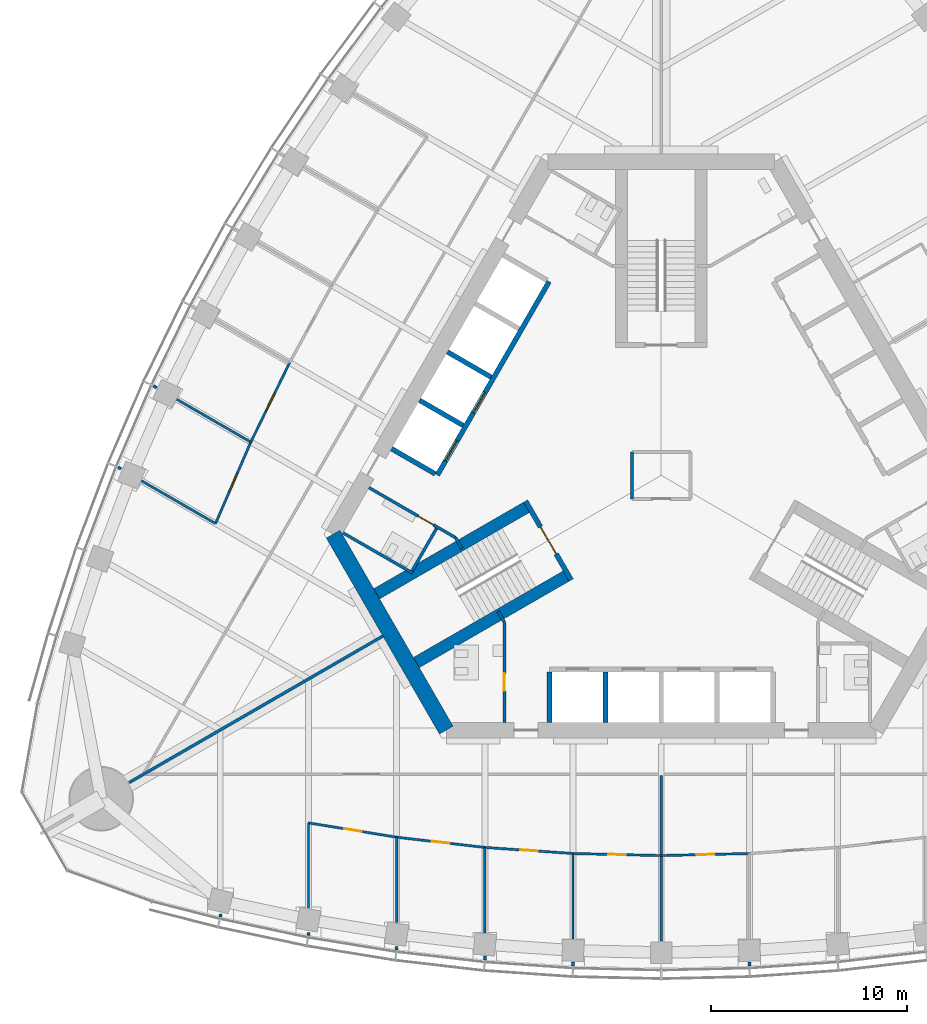
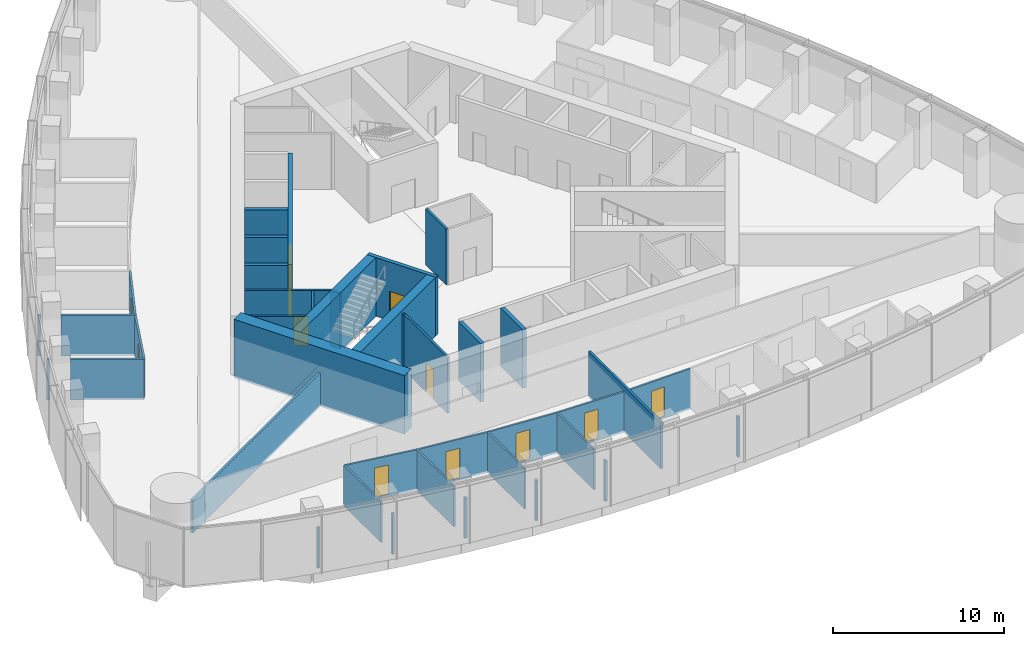
# One storey, part 11 of 20: 40 walls, 12 doors, 12 openings.
"""IFC4 building model written with IfcOpenShell, lengths in metres."""

from ifc_helpers import new_model, si_unit, direction, frame, frame_2d, origin, place, context, subcontext, project, spatial, rectangle, extrude, material, layer, layer_set, type_object, element, fill, save


model = new_model("IFC4")

# Units and contexts
model_context = context("Model", 3, precision=1e-05, world=origin(), true_north=direction((0.0, 1.0)))
body_context = subcontext(model_context, "Body", "Model", "MODEL_VIEW")
ifc_project = project(units=[si_unit("LENGTHUNIT", "METRE"), si_unit("AREAUNIT", "SQUARE_METRE"), si_unit("VOLUMEUNIT", "CUBIC_METRE"), si_unit("PLANEANGLEUNIT", "RADIAN"), si_unit("MASSUNIT", "GRAM", prefix="KILO")], contexts=[model_context])

# Site, building, storey
site_placement = place(None, origin())
site = spatial("IfcSite", under=ifc_project, at=site_placement, CompositionType="ELEMENT")
building_placement = place(site_placement, origin())
building = spatial("IfcBuilding", under=site, at=building_placement, Name="Trefoil Bronze Tower", CompositionType="ELEMENT")
storey_placement = place(building_placement, frame((0.0, 0.0, 214.89990234375)))
storey = spatial("IfcBuildingStorey", under=building, at=storey_placement, Name="L49", CompositionType="ELEMENT", Elevation=214.89990234375)

# Wall
ifc_material_1 = material(Name="Concrete B80", Category="concrete")
ifc_layer_1 = layer(ifc_material_1, 0.800048828125)
ifc_layer_set_1 = layer_set([ifc_layer_1], Name="Core wall 800")
wall_type_1 = type_object("IfcWallType", Name="Core wall 800", PredefinedType="SHEAR", material=ifc_layer_set_1)
wall_1_placement = place(storey_placement, frame((-16.7431640625, -3.0, 0.0), z_axis=(0.0, 0.0, 1.0), x_axis=(0.499995765644, -0.866027848477, 0.0)))
element("IfcWall", 1, at=wall_1_placement, inside=storey, type_object=wall_type_1, Name="Core short wall 3 L49", PredefinedType="SHEAR", context=body_context, shape_type="SweptSolid", body=[
    extrude(rectangle(XDim=11.546875, YDim=0.800048828125, at=frame_2d((5.7734375, 0.0))), origin(), (0.0, 0.0, 1.0), 4.2001953125),
])

# Wall, opening, door
ifc_material_2 = material(Name="Glazed partition", Category="glass")
ifc_layer_2 = layer(ifc_material_2, 0.1201171875)
ifc_layer_set_2 = layer_set([ifc_layer_2], Name="Glazed partition 120")
wall_type_2 = type_object("IfcWallType", Name="Glazed partition 120", PredefinedType="PARTITIONING", material=ifc_layer_set_2)
wall_2_placement = place(storey_placement, frame((0.0, -19.400634765625, 0.0), z_axis=(0.0, 0.0, 1.0), x_axis=(0.99973552509, 0.022997388381, 0.0)))
wall_2 = element("IfcWall", 2, at=wall_2_placement, inside=storey, type_object=wall_type_2, Name="Partition F1 L49", PredefinedType="PARTITIONING", context=body_context, shape_type="SweptSolid", body=[
    extrude(rectangle(XDim=4.501220703125, YDim=0.1201171875, at=frame_2d((2.25048828125, 0.0))), origin(), (0.0, 0.0, 1.0), 2.900146484375),
])
opening_1_placement = place(wall_2_placement, frame((1.800048828125, 0.0, 0.14990234375)))
opening_1 = element("IfcOpeningElement", 3, at=opening_1_placement, cuts=wall_2, Name="Opening D8", PredefinedType="OPENING", context=body_context, shape_type="SweptSolid", body=[
    extrude(rectangle(XDim=0.89990234375, YDim=2.10009765625, at=frame_2d((0.449951171875, 1.050048828125))), frame((0.0, 0.070068359375, 0.0), z_axis=(0.0, -1.0, 0.0), x_axis=(1.0, 0.0, 0.0)), (0.0, 0.0, 1.0), 0.14013671875),
])
ifc_material_3 = material(Name="Timber door", Category="wood")
door_type_1 = type_object("IfcDoorType", Name="Office door 900", OperationType="SINGLE_SWING_LEFT", PredefinedType="DOOR", material=ifc_material_3)
door_1_placement = place(opening_1_placement, frame((0.89990234375, 0.0, 0.0), z_axis=(0.0, 0.0, 1.0), x_axis=(-1.0, 0.0, 0.0)))
door_1 = element("IfcDoor", 4, at=door_1_placement, inside=storey, type_object=door_type_1, Name="Office door F1 L49", OperationType="SINGLE_SWING_RIGHT", OverallHeight=2.10009765625, OverallWidth=0.89990234375, PredefinedType="DOOR", context=body_context, shape_type="SweptSolid", body=[
    extrude(rectangle(XDim=0.89990234375, YDim=2.10009765625, at=frame_2d((0.449951171875, 1.050048828125))), frame((0.0, 0.02490234375, 0.0), z_axis=(0.0, -1.0, 0.0), x_axis=(1.0, 0.0, 0.0)), (0.0, 0.0, 1.0), 0.050048828125),
])
fill(opening_1, door_1)

wall_3_placement = place(storey_placement, frame((-13.5, -18.466064453125, 0.0), z_axis=(0.0, 0.0, 1.0), x_axis=(0.993382946625, -0.114849124309, 0.0)))
wall_3 = element("IfcWall", 5, at=wall_3_placement, inside=storey, type_object=wall_type_2, Name="Partition F1 L49", PredefinedType="PARTITIONING", context=body_context, shape_type="SweptSolid", body=[
    extrude(rectangle(XDim=4.530029296875, YDim=0.1201171875, at=frame_2d((2.26513671875, 0.0))), origin(), (0.0, 0.0, 1.0), 2.900146484375),
])
opening_2_placement = place(wall_3_placement, frame((1.800048828125, 0.0, 0.14990234375)))
opening_2 = element("IfcOpeningElement", 6, at=opening_2_placement, cuts=wall_3, Name="Opening D8", PredefinedType="OPENING", context=body_context, shape_type="SweptSolid", body=[
    extrude(rectangle(XDim=0.89990234375, YDim=2.10009765625, at=frame_2d((0.449951171875, 1.050048828125))), frame((0.0, 0.070068359375, 0.0), z_axis=(0.0, -1.0, 0.0), x_axis=(1.0, 0.0, 0.0)), (0.0, 0.0, 1.0), 0.14013671875),
])
door_2_placement = place(opening_2_placement, frame((0.89990234375, 0.0, 0.0), z_axis=(0.0, 0.0, 1.0), x_axis=(-1.0, 0.0, 0.0)))
door_2 = element("IfcDoor", 7, at=door_2_placement, inside=storey, type_object=door_type_1, Name="Office door F1 L49", OperationType="SINGLE_SWING_RIGHT", OverallHeight=2.10009765625, OverallWidth=0.89990234375, PredefinedType="DOOR", context=body_context, shape_type="SweptSolid", body=[
    extrude(rectangle(XDim=0.89990234375, YDim=2.10009765625, at=frame_2d((0.449951171875, 1.050048828125))), frame((0.0, 0.02490234375, 0.0), z_axis=(0.0, -1.0, 0.0), x_axis=(1.0, 0.0, 0.0)), (0.0, 0.0, 1.0), 0.050048828125),
])
fill(opening_2, door_2)

wall_4_placement = place(storey_placement, frame((-18.0, -17.73291015625, 0.0), z_axis=(0.0, 0.0, 1.0), x_axis=(0.986986525477, -0.160802980469, 0.0)))
wall_4 = element("IfcWall", 8, at=wall_4_placement, inside=storey, type_object=wall_type_2, Name="Partition F1 L49", PredefinedType="PARTITIONING", context=body_context, shape_type="SweptSolid", body=[
    extrude(rectangle(XDim=4.559326171875, YDim=0.1201171875, at=frame_2d((2.27978515625, 0.0))), origin(), (0.0, 0.0, 1.0), 2.900146484375),
])
opening_3_placement = place(wall_4_placement, frame((1.85009765625, 0.0, 0.14990234375)))
opening_3 = element("IfcOpeningElement", 9, at=opening_3_placement, cuts=wall_4, Name="Opening D8", PredefinedType="OPENING", context=body_context, shape_type="SweptSolid", body=[
    extrude(rectangle(XDim=0.89990234375, YDim=2.10009765625, at=frame_2d((0.449951171875, 1.050048828125))), frame((0.0, 0.070068359375, 0.0), z_axis=(0.0, -1.0, 0.0), x_axis=(1.0, 0.0, 0.0)), (0.0, 0.0, 1.0), 0.14013671875),
])
door_3_placement = place(opening_3_placement, frame((0.89990234375, 0.0, 0.0), z_axis=(0.0, 0.0, 1.0), x_axis=(-1.0, 0.0, 0.0)))
door_3 = element("IfcDoor", 10, at=door_3_placement, inside=storey, type_object=door_type_1, Name="Office door F1 L49", OperationType="SINGLE_SWING_LEFT", OverallHeight=2.10009765625, OverallWidth=0.89990234375, PredefinedType="DOOR", context=body_context, shape_type="SweptSolid", body=[
    extrude(rectangle(XDim=0.89990234375, YDim=2.10009765625, at=frame_2d((0.449951171875, 1.050048828125))), frame((0.0, 0.02490234375, 0.0), z_axis=(0.0, -1.0, 0.0), x_axis=(1.0, 0.0, 0.0)), (0.0, 0.0, 1.0), 0.050048828125),
])
fill(opening_3, door_3)

wall_5_placement = place(storey_placement, frame((-4.5, -19.297119140625, 0.0), z_axis=(0.0, 0.0, 1.0), x_axis=(0.99973552509, -0.022997388381, 0.0)))
wall_5 = element("IfcWall", 11, at=wall_5_placement, inside=storey, type_object=wall_type_2, Name="Partition F1 L49", PredefinedType="PARTITIONING", context=body_context, shape_type="SweptSolid", body=[
    extrude(rectangle(XDim=4.501220703125, YDim=0.1201171875, at=frame_2d((2.25048828125, 0.0))), origin(), (0.0, 0.0, 1.0), 2.900146484375),
])
opening_4_placement = place(wall_5_placement, frame((1.800048828125, 0.0, 0.14990234375)))
opening_4 = element("IfcOpeningElement", 12, at=opening_4_placement, cuts=wall_5, Name="Opening D8", PredefinedType="OPENING", context=body_context, shape_type="SweptSolid", body=[
    extrude(rectangle(XDim=0.89990234375, YDim=2.10009765625, at=frame_2d((0.449951171875, 1.050048828125))), frame((0.0, 0.070068359375, 0.0), z_axis=(0.0, -1.0, 0.0), x_axis=(1.0, 0.0, 0.0)), (0.0, 0.0, 1.0), 0.14013671875),
])
door_4_placement = place(opening_4_placement, frame((0.89990234375, 0.0, 0.0), z_axis=(0.0, 0.0, 1.0), x_axis=(-1.0, 0.0, 0.0)))
door_4 = element("IfcDoor", 13, at=door_4_placement, inside=storey, type_object=door_type_1, Name="Office door F1 L49", OperationType="SINGLE_SWING_RIGHT", OverallHeight=2.10009765625, OverallWidth=0.89990234375, PredefinedType="DOOR", context=body_context, shape_type="SweptSolid", body=[
    extrude(rectangle(XDim=0.89990234375, YDim=2.10009765625, at=frame_2d((0.449951171875, 1.050048828125))), frame((0.0, 0.02490234375, 0.0), z_axis=(0.0, -1.0, 0.0), x_axis=(1.0, 0.0, 0.0)), (0.0, 0.0, 1.0), 0.050048828125),
])
fill(opening_4, door_4)

wall_6_placement = place(storey_placement, frame((-9.0, -18.986328125, 0.0), z_axis=(0.0, 0.0, 1.0), x_axis=(0.997623533978, -0.068900540297, 0.0)))
wall_6 = element("IfcWall", 14, at=wall_6_placement, inside=storey, type_object=wall_type_2, Name="Partition F1 L49", PredefinedType="PARTITIONING", context=body_context, shape_type="SweptSolid", body=[
    extrude(rectangle(XDim=4.5107421875, YDim=0.1201171875, at=frame_2d((2.25537109375, 0.0))), origin(), (0.0, 0.0, 1.0), 2.900146484375),
])
opening_5_placement = place(wall_6_placement, frame((1.800048828125, 0.0, 0.14990234375)))
opening_5 = element("IfcOpeningElement", 15, at=opening_5_placement, cuts=wall_6, Name="Opening D8", PredefinedType="OPENING", context=body_context, shape_type="SweptSolid", body=[
    extrude(rectangle(XDim=0.89990234375, YDim=2.10009765625, at=frame_2d((0.449951171875, 1.050048828125))), frame((0.0, 0.070068359375, 0.0), z_axis=(0.0, -1.0, 0.0), x_axis=(1.0, 0.0, 0.0)), (0.0, 0.0, 1.0), 0.14013671875),
])
door_5_placement = place(opening_5_placement, frame((0.89990234375, 0.0, 0.0), z_axis=(0.0, 0.0, 1.0), x_axis=(-1.0, 0.0, 0.0)))
door_5 = element("IfcDoor", 16, at=door_5_placement, inside=storey, type_object=door_type_1, Name="Office door F1 L49", OperationType="SINGLE_SWING_RIGHT", OverallHeight=2.10009765625, OverallWidth=0.89990234375, PredefinedType="DOOR", context=body_context, shape_type="SweptSolid", body=[
    extrude(rectangle(XDim=0.89990234375, YDim=2.10009765625, at=frame_2d((0.449951171875, 1.050048828125))), frame((0.0, 0.02490234375, 0.0), z_axis=(0.0, -1.0, 0.0), x_axis=(1.0, 0.0, 0.0)), (0.0, 0.0, 1.0), 0.050048828125),
])
fill(opening_5, door_5)

# Walls
wall_7_placement = place(storey_placement, frame((-13.5, -18.466064453125, 0.0), z_axis=(0.0, 0.0, 1.0), x_axis=(0.0, -1.0, 0.0)))
element("IfcWall", 17, at=wall_7_placement, inside=storey, type_object=wall_type_2, Name="Partition F1 L49", PredefinedType="PARTITIONING", context=body_context, shape_type="SweptSolid", body=[
    extrude(rectangle(XDim=4.356689453125, YDim=0.1201171875, at=frame_2d((2.17822265625, 0.0))), origin(), (0.0, 0.0, 1.0), 2.900146484375),
])
wall_8_placement = place(storey_placement, frame((-18.0, -17.73291015625, 0.0), z_axis=(0.0, 0.0, 1.0), x_axis=(0.0, -1.0, 0.0)))
element("IfcWall", 18, at=wall_8_placement, inside=storey, type_object=wall_type_2, Name="Partition F1 L49", PredefinedType="PARTITIONING", context=body_context, shape_type="SweptSolid", body=[
    extrude(rectangle(XDim=4.34619140625, YDim=0.1201171875, at=frame_2d((2.173095703125, 0.0))), origin(), (0.0, 0.0, 1.0), 2.900146484375),
])
wall_9_placement = place(storey_placement, frame((-4.5, -19.297119140625, 0.0), z_axis=(0.0, 0.0, 1.0), x_axis=(0.0, -1.0, 0.0)))
element("IfcWall", 19, at=wall_9_placement, inside=storey, type_object=wall_type_2, Name="Partition F1 L49", PredefinedType="PARTITIONING", context=body_context, shape_type="SweptSolid", body=[
    extrude(rectangle(XDim=4.36865234375, YDim=0.1201171875, at=frame_2d((2.184326171875, 0.0))), origin(), (0.0, 0.0, 1.0), 2.900146484375),
])
wall_10_placement = place(storey_placement, frame((-9.0, -18.986328125, 0.0), z_axis=(0.0, 0.0, 1.0), x_axis=(0.0, -1.0, 0.0)))
element("IfcWall", 20, at=wall_10_placement, inside=storey, type_object=wall_type_2, Name="Partition F1 L49", PredefinedType="PARTITIONING", context=body_context, shape_type="SweptSolid", body=[
    extrude(rectangle(XDim=4.3642578125, YDim=0.1201171875, at=frame_2d((2.18212890625, 0.0))), origin(), (0.0, 0.0, 1.0), 2.900146484375),
])

# Wall, opening, door
wall_11_placement = place(storey_placement, frame((-18.9619140625, 5.75146484375, 0.0), z_axis=(0.0, 0.0, 1.0), x_axis=(-0.43911984878, -0.898428493764, 0.0)))
wall_11 = element("IfcWall", 21, at=wall_11_placement, inside=storey, type_object=wall_type_2, Name="Partition F3 L49", PredefinedType="PARTITIONING", context=body_context, shape_type="SweptSolid", body=[
    extrude(rectangle(XDim=4.5107421875, YDim=0.1201171875, at=frame_2d((2.25537109375, 0.0))), origin(), (0.0, 0.0, 1.0), 2.900146484375),
])
opening_6_placement = place(wall_11_placement, frame((1.75, 0.0, 0.14990234375)))
opening_6 = element("IfcOpeningElement", 22, at=opening_6_placement, cuts=wall_11, Name="Opening D9", PredefinedType="OPENING", context=body_context, shape_type="SweptSolid", body=[
    extrude(rectangle(XDim=1.0, YDim=2.10009765625, at=frame_2d((0.5, 1.050048828125))), frame((0.0, 0.070068359375, 0.0), z_axis=(0.0, -1.0, 0.0), x_axis=(1.0, 0.0, 0.0)), (0.0, 0.0, 1.0), 0.14013671875),
])
ifc_material_4 = material(Name="Glazed timber door", Category="wood")
door_type_2 = type_object("IfcDoorType", Name="Meeting room door 1000", OperationType="SINGLE_SWING_LEFT", PredefinedType="DOOR", material=ifc_material_4)
door_6_placement = place(opening_6_placement, frame((1.0, 0.0, 0.0), z_axis=(0.0, 0.0, 1.0), x_axis=(-1.0, 0.0, 0.0)))
door_6 = element("IfcDoor", 23, at=door_6_placement, inside=storey, type_object=door_type_2, Name="Meeting room door F3 L49", OperationType="SINGLE_SWING_RIGHT", OverallHeight=2.10009765625, OverallWidth=1.0, PredefinedType="DOOR", context=body_context, shape_type="SweptSolid", body=[
    extrude(rectangle(XDim=1.0, YDim=2.10009765625, at=frame_2d((0.5, 1.050048828125))), frame((0.0, 0.02490234375, 0.0), z_axis=(0.0, -1.0, 0.0), x_axis=(1.0, 0.0, 0.0)), (0.0, 0.0, 1.0), 0.050048828125),
])
fill(opening_6, door_6)

wall_12_placement = place(storey_placement, frame((-20.942626953125, 1.698974609375, 0.0), z_axis=(0.0, 0.0, 1.0), x_axis=(-0.397253491631, -0.917708920839, 0.0)))
wall_12 = element("IfcWall", 24, at=wall_12_placement, inside=storey, type_object=wall_type_2, Name="Partition F3 L49", PredefinedType="PARTITIONING", context=body_context, shape_type="SweptSolid", body=[
    extrude(rectangle(XDim=4.530029296875, YDim=0.1201171875, at=frame_2d((2.26513671875, 0.0))), origin(), (0.0, 0.0, 1.0), 2.900146484375),
])
opening_7_placement = place(wall_12_placement, frame((1.75, 0.0, 0.14990234375)))
opening_7 = element("IfcOpeningElement", 25, at=opening_7_placement, cuts=wall_12, Name="Opening D9", PredefinedType="OPENING", context=body_context, shape_type="SweptSolid", body=[
    extrude(rectangle(XDim=1.0, YDim=2.10009765625, at=frame_2d((0.5, 1.050048828125))), frame((0.0, 0.070068359375, 0.0), z_axis=(0.0, -1.0, 0.0), x_axis=(1.0, 0.0, 0.0)), (0.0, 0.0, 1.0), 0.14013671875),
])
door_7_placement = place(opening_7_placement, frame((1.0, 0.0, 0.0), z_axis=(0.0, 0.0, 1.0), x_axis=(-1.0, 0.0, 0.0)))
door_7 = element("IfcDoor", 26, at=door_7_placement, inside=storey, type_object=door_type_2, Name="Meeting room door F3 L49", OperationType="SINGLE_SWING_RIGHT", OverallHeight=2.10009765625, OverallWidth=1.0, PredefinedType="DOOR", context=body_context, shape_type="SweptSolid", body=[
    extrude(rectangle(XDim=1.0, YDim=2.10009765625, at=frame_2d((0.5, 1.050048828125))), frame((0.0, 0.02490234375, 0.0), z_axis=(0.0, -1.0, 0.0), x_axis=(1.0, 0.0, 0.0)), (0.0, 0.0, 1.0), 0.050048828125),
])
fill(opening_7, door_7)

# Walls
wall_13_placement = place(storey_placement, frame((-22.7421875, -2.458251953125, 0.0), z_axis=(0.0, 0.0, 1.0), x_axis=(-0.866034407719, 0.499984404404, 0.0)))
element("IfcWall", 27, at=wall_13_placement, inside=storey, type_object=wall_type_2, Name="Partition F3 L49", PredefinedType="PARTITIONING", context=body_context, shape_type="SweptSolid", body=[
    extrude(rectangle(XDim=4.356689453125, YDim=0.1201171875, at=frame_2d((2.17822265625, 0.0))), origin(), (0.0, 0.0, 1.0), 2.900146484375),
])
wall_14_placement = place(storey_placement, frame((-20.942626953125, 1.698974609375, 0.0), z_axis=(0.0, 0.0, 1.0), x_axis=(-0.866024423162, 0.500001698484, 0.0)))
element("IfcWall", 28, at=wall_14_placement, inside=storey, type_object=wall_type_2, Name="Partition F3 L49", PredefinedType="PARTITIONING", context=body_context, shape_type="SweptSolid", body=[
    extrude(rectangle(XDim=4.3642578125, YDim=0.1201171875, at=frame_2d((2.18212890625, 0.0))), origin(), (0.0, 0.0, 1.0), 2.900146484375),
])

# Wall, opening, door
ifc_material_5 = material(Name="Gypsum board on steel studs", Category="steel")
ifc_layer_3 = layer(ifc_material_5, 0.14990234375)
ifc_layer_set_3 = layer_set([ifc_layer_3], Name="Partition 150")
wall_type_3 = type_object("IfcWallType", Name="Partition 150", PredefinedType="PARTITIONING", material=ifc_layer_set_3)
wall_15_placement = place(storey_placement, frame((-8.0, -7.5, 0.0), z_axis=(0.0, 0.0, 1.0), x_axis=(0.0, -1.0, 0.0)))
wall_15 = element("IfcWall", 29, at=wall_15_placement, inside=storey, type_object=wall_type_3, Name="Passage wall F1- L49", PredefinedType="PARTITIONING", context=body_context, shape_type="SweptSolid", body=[
    extrude(rectangle(XDim=5.10009765625, YDim=0.14990234375, at=frame_2d((2.550048828125, 0.0))), origin(), (0.0, 0.0, 1.0), 4.0),
])
opening_8_placement = place(wall_15_placement, frame((2.60009765625, 0.0, 0.0)))
opening_8 = element("IfcOpeningElement", 30, at=opening_8_placement, cuts=wall_15, Name="Opening D3", PredefinedType="OPENING", context=body_context, shape_type="SweptSolid", body=[
    extrude(rectangle(XDim=0.89990234375, YDim=2.10009765625, at=frame_2d((0.449951171875, 1.050048828125))), frame((0.0, 0.0849609375, 0.0), z_axis=(0.0, -1.0, 0.0), x_axis=(1.0, 0.0, 0.0)), (0.0, 0.0, 1.0), 0.169921875),
])
ifc_material_6 = material(Name="Timber door", Category="wood")
door_type_3 = type_object("IfcDoorType", Name="WC door 900", OperationType="SINGLE_SWING_LEFT", PredefinedType="DOOR", material=ifc_material_6)
door_8_placement = place(opening_8_placement, frame((0.89990234375, 0.0, 0.0), z_axis=(0.0, 0.0, 1.0), x_axis=(-1.0, 0.0, 0.0)))
door_8 = element("IfcDoor", 31, at=door_8_placement, inside=storey, type_object=door_type_3, Name="WC (women) door L49", OperationType="SINGLE_SWING_LEFT", OverallHeight=2.10009765625, OverallWidth=0.89990234375, PredefinedType="DOOR", context=body_context, shape_type="SweptSolid", body=[
    extrude(rectangle(XDim=0.89990234375, YDim=2.10009765625, at=frame_2d((0.449951171875, 1.050048828125))), frame((0.0, 0.02490234375, 0.0), z_axis=(0.0, -1.0, 0.0), x_axis=(1.0, 0.0, 0.0)), (0.0, 0.0, 1.0), 0.050048828125),
])
fill(opening_8, door_8)

wall_16_placement = place(storey_placement, frame((-10.4951171875, -3.17822265625, 0.0), z_axis=(0.0, 0.0, 1.0), x_axis=(-0.86602216432, 0.500005610874, 0.0)))
wall_16 = element("IfcWall", 32, at=wall_16_placement, inside=storey, type_object=wall_type_3, Name="Passage wall F3+ L49", PredefinedType="PARTITIONING", context=body_context, shape_type="SweptSolid", body=[
    extrude(rectangle(XDim=5.10009765625, YDim=0.14990234375, at=frame_2d((2.550048828125, 0.0))), origin(), (0.0, 0.0, 1.0), 4.0),
])
opening_9_placement = place(wall_16_placement, frame((1.300048828125, 0.0, 0.0)))
opening_9 = element("IfcOpeningElement", 33, at=opening_9_placement, cuts=wall_16, Name="Opening D3", PredefinedType="OPENING", context=body_context, shape_type="SweptSolid", body=[
    extrude(rectangle(XDim=0.89990234375, YDim=2.10009765625, at=frame_2d((0.449951171875, 1.050048828125))), frame((0.0, 0.0849609375, 0.0), z_axis=(0.0, -1.0, 0.0), x_axis=(1.0, 0.0, 0.0)), (0.0, 0.0, 1.0), 0.169921875),
])
door_9_placement = place(opening_9_placement, origin())
door_9 = element("IfcDoor", 34, at=door_9_placement, inside=storey, type_object=door_type_3, Name="WC (men) door L49", OperationType="SINGLE_SWING_LEFT", OverallHeight=2.10009765625, OverallWidth=0.89990234375, PredefinedType="DOOR", context=body_context, shape_type="SweptSolid", body=[
    extrude(rectangle(XDim=0.89990234375, YDim=2.10009765625, at=frame_2d((0.449951171875, 1.050048828125))), frame((0.0, 0.02490234375, 0.0), z_axis=(0.0, -1.0, 0.0), x_axis=(1.0, 0.0, 0.0)), (0.0, 0.0, 1.0), 0.050048828125),
])
fill(opening_9, door_9)

# Walls
for number, where, z_axis, x_axis, name in (
    (35, (-10.4951171875, -3.17822265625, 0.0), (0.0, 0.0, 1.0), (0.499842556608, -0.866116284689, 0.0), "WC wall ST3-1 L49"),
    (36, (-8.0, -7.5, 0.0), (0.0, 0.0, 1.0), (-0.499842556608, 0.866116284689, 0.0), "WC wall ST3+1 L49"),
):
    element("IfcWall", number, at=place(storey_placement, frame(where, z_axis=z_axis, x_axis=x_axis)), inside=storey, type_object=wall_type_3, Name=name, PredefinedType="PARTITIONING", context=body_context, shape_type="SweptSolid", body=[
        extrude(rectangle(XDim=0.645263671875, YDim=0.14990234375, at=frame_2d((0.32275390625, 0.0))), origin(), (0.0, 0.0, 1.0), 4.0),
    ])
wall_17_placement = place(storey_placement, frame((-12.691162109375, -4.98193359375, 0.0), z_axis=(0.0, 0.0, 1.0), x_axis=(-0.8660249478, 0.500000789788, 0.0)))
element("IfcWall", 37, at=wall_17_placement, inside=storey, type_object=wall_type_3, Name="WC partition WC (men) L49", PredefinedType="PARTITIONING", context=body_context, shape_type="SweptSolid", body=[
    extrude(rectangle(XDim=4.10009765625, YDim=0.14990234375, at=frame_2d((2.050048828125, 0.0))), origin(), (0.0, 0.0, 1.0), 4.0),
])
wall_18_placement = place(storey_placement, frame((-11.463623046875, -2.70556640625, 0.0), z_axis=(0.0, 0.0, 1.0), x_axis=(-0.50001992892, -0.866013897511, 0.0)))
element("IfcWall", 38, at=wall_18_placement, inside=storey, type_object=wall_type_3, Name="WC partition WC (men) L49", PredefinedType="PARTITIONING", context=body_context, shape_type="SweptSolid", body=[
    extrude(rectangle(XDim=2.51025390625, YDim=0.14990234375, at=frame_2d((1.255126953125, 0.0))), origin(), (0.0, 0.0, 1.0), 4.0),
])
wall_19_placement = place(storey_placement, frame((4.5, -24.8251953125, 0.0), z_axis=(0.0, 0.0, 1.0), x_axis=(0.0, -1.0, 0.0)))
element("IfcWall", 39, at=wall_19_placement, inside=storey, type_object=wall_type_3, Name="Partition F1 L49", PredefinedType="PARTITIONING", context=body_context, shape_type="SweptSolid", body=[
    extrude(rectangle(XDim=0.217041015625, YDim=0.14990234375, at=frame_2d((0.1083984375, 0.0))), origin(), (0.0, 0.0, 1.0), 2.900146484375),
])
wall_20_placement = place(storey_placement, frame((-13.5, -24.032958984375, 0.0), z_axis=(0.0, 0.0, 1.0), x_axis=(0.0, -1.0, 0.0)))
element("IfcWall", 40, at=wall_20_placement, inside=storey, type_object=wall_type_3, Name="Partition F1 L49", PredefinedType="PARTITIONING", context=body_context, shape_type="SweptSolid", body=[
    extrude(rectangle(XDim=0.17822265625, YDim=0.14990234375, at=frame_2d((0.089111328125, 0.0))), origin(), (0.0, 0.0, 1.0), 2.900146484375),
])
wall_21_placement = place(storey_placement, frame((-18.0, -23.31494140625, 0.0), z_axis=(0.0, 0.0, 1.0), x_axis=(0.0, -1.0, 0.0)))
element("IfcWall", 41, at=wall_21_placement, inside=storey, type_object=wall_type_3, Name="Partition F1 L49", PredefinedType="PARTITIONING", context=body_context, shape_type="SweptSolid", body=[
    extrude(rectangle(XDim=0.1630859375, YDim=0.14990234375, at=frame_2d((0.08154296875, 0.0))), origin(), (0.0, 0.0, 1.0), 2.900146484375),
])
wall_22_placement = place(storey_placement, frame((-22.5, -22.375244140625, 0.0), z_axis=(0.0, 0.0, 1.0), x_axis=(0.0, -1.0, 0.0)))
element("IfcWall", 42, at=wall_22_placement, inside=storey, type_object=wall_type_3, Name="Partition F1 L49", PredefinedType="PARTITIONING", context=body_context, shape_type="SweptSolid", body=[
    extrude(rectangle(XDim=0.15185546875, YDim=0.14990234375, at=frame_2d((0.075927734375, 0.0))), origin(), (0.0, 0.0, 1.0), 2.900146484375),
])
wall_23_placement = place(storey_placement, frame((-4.5, -24.8251953125, 0.0), z_axis=(0.0, 0.0, 1.0), x_axis=(0.0, -1.0, 0.0)))
element("IfcWall", 43, at=wall_23_placement, inside=storey, type_object=wall_type_3, Name="Partition F1 L49", PredefinedType="PARTITIONING", context=body_context, shape_type="SweptSolid", body=[
    extrude(rectangle(XDim=0.217041015625, YDim=0.14990234375, at=frame_2d((0.1083984375, 0.0))), origin(), (0.0, 0.0, 1.0), 2.900146484375),
])
wall_24_placement = place(storey_placement, frame((-9.0, -24.535400390625, 0.0), z_axis=(0.0, 0.0, 1.0), x_axis=(0.0, -1.0, 0.0)))
element("IfcWall", 44, at=wall_24_placement, inside=storey, type_object=wall_type_3, Name="Partition F1 L49", PredefinedType="PARTITIONING", context=body_context, shape_type="SweptSolid", body=[
    extrude(rectangle(XDim=0.196044921875, YDim=0.14990234375, at=frame_2d((0.09814453125, 0.0))), origin(), (0.0, 0.0, 1.0), 2.900146484375),
])
wall_25_placement = place(storey_placement, frame((-27.563232421875, 0.3251953125, 0.0), z_axis=(0.0, 0.0, 1.0), x_axis=(-0.865614066289, 0.500711781609, 0.0)))
element("IfcWall", 45, at=wall_25_placement, inside=storey, type_object=wall_type_3, Name="Partition F3 L49", PredefinedType="PARTITIONING", context=body_context, shape_type="SweptSolid", body=[
    extrude(rectangle(XDim=0.177978515625, YDim=0.14990234375, at=frame_2d((0.0888671875, 0.0))), origin(), (0.0, 0.0, 1.0), 2.900146484375),
])
wall_26_placement = place(storey_placement, frame((-25.748291015625, 4.473388671875, 0.0), z_axis=(0.0, 0.0, 1.0), x_axis=(-0.865625187776, 0.500692554656, 0.0)))
element("IfcWall", 46, at=wall_26_placement, inside=storey, type_object=wall_type_3, Name="Partition F3 L49", PredefinedType="PARTITIONING", context=body_context, shape_type="SweptSolid", body=[
    extrude(rectangle(XDim=0.196044921875, YDim=0.14990234375, at=frame_2d((0.09814453125, 0.0))), origin(), (0.0, 0.0, 1.0), 2.900146484375),
])
ifc_material_7 = material(Name="Gypsum board on steel studs", Category="steel")
ifc_layer_4 = layer(ifc_material_7, 0.14990234375)
ifc_layer_set_4 = layer_set([ifc_layer_4], Name="Party wall 150")
wall_type_4 = type_object("IfcWallType", Name="Party wall 150", PredefinedType="PARTITIONING", material=ifc_layer_set_4)
wall_27_placement = place(storey_placement, frame((-14.202880859375, -8.199951171875, 0.0), z_axis=(0.0, 0.0, 1.0), x_axis=(-0.866021600284, -0.500006587798, 0.0)))
element("IfcWall", 47, at=wall_27_placement, inside=storey, type_object=wall_type_4, Name="Party wall K3 L49", PredefinedType="PARTITIONING", context=body_context, shape_type="SweptSolid", body=[
    extrude(rectangle(XDim=14.949951171875, YDim=0.14990234375, at=frame_2d((7.47509765625, 0.0))), origin(), (0.0, 0.0, 1.0), 2.400146484375),
])
wall_28_placement = place(storey_placement, frame((0.0, -15.320068359375, 0.0), z_axis=(0.0, 0.0, 1.0), x_axis=(0.0, -1.0, 0.0)))
element("IfcWall", 48, at=wall_28_placement, inside=storey, type_object=wall_type_4, Name="Demising wall F1 L49", PredefinedType="PARTITIONING", context=body_context, shape_type="SweptSolid", body=[
    extrude(rectangle(XDim=8.45068359375, YDim=0.14990234375, at=frame_2d((4.225341796875, 0.0))), origin(), (0.0, 0.0, 1.0), 3.300048828125),
])
ifc_material_8 = material(Name="Gypsum board on steel studs", Category="steel")
ifc_layer_5 = layer(ifc_material_8, 0.14990234375)
ifc_layer_set_5 = layer_set([ifc_layer_5], Name="Riser wall 150")
wall_type_5 = type_object("IfcWallType", Name="Riser wall 150", PredefinedType="PARTITIONING", material=ifc_layer_set_5)
wall_29_placement = place(storey_placement, frame((-1.5, 1.199951171875, 0.0), z_axis=(0.0, 0.0, 1.0), x_axis=(0.0, -1.0, 0.0)))
element("IfcWall", 49, at=wall_29_placement, inside=storey, type_object=wall_type_5, Name="Riser wall L49", PredefinedType="PARTITIONING", context=body_context, shape_type="SweptSolid", body=[
    extrude(rectangle(XDim=2.39990234375, YDim=0.14990234375, at=frame_2d((1.199951171875, 0.0))), origin(), (0.0, 0.0, 1.0), 4.0),
])
ifc_material_9 = material(Name="Concrete B80", Category="concrete")
ifc_layer_6 = layer(ifc_material_9, 0.25)
ifc_layer_set_6 = layer_set([ifc_layer_6], Name="Shaft wall 250")
wall_type_6 = type_object("IfcWallType", Name="Shaft wall 250", PredefinedType="SHEAR", material=ifc_layer_set_6)
for number, where, z_axis, x_axis, name in (
    (50, (-5.699951171875, -10.02490234375, 0.0), (0.0, 0.0, 1.0), (0.0, -1.0, 0.0), "Lift shaft side wall A0 L49"),
    (51, (-2.85009765625, -10.02490234375, 0.0), (0.0, 0.0, 1.0), (0.0, -1.0, 0.0), "Lift shaft side wall A1 L49"),
):
    element("IfcWall", number, at=place(storey_placement, frame(where, z_axis=z_axis, x_axis=x_axis)), inside=storey, type_object=wall_type_6, Name=name, PredefinedType="SHEAR", context=body_context, shape_type="SweptSolid", body=[
        extrude(rectangle(XDim=2.5751953125, YDim=0.25, at=frame_2d((1.28759765625, 0.0))), origin(), (0.0, 0.0, 1.0), 4.2001953125),
    ])

# Wall, openings, doors
wall_30_placement = place(storey_placement, frame((-5.7236328125, 9.88623046875, 0.0), z_axis=(0.0, 0.0, 1.0), x_axis=(-0.500001763848, -0.866024385424, 0.0)))
wall_30 = element("IfcWall", 52, at=wall_30_placement, inside=storey, type_object=wall_type_6, Name="Lift shaft front wall C L49", PredefinedType="SHEAR", context=body_context, shape_type="SweptSolid", body=[
    extrude(rectangle(XDim=11.39990234375, YDim=0.25, at=frame_2d((5.699951171875, 0.0))), origin(), (0.0, 0.0, 1.0), 4.2001953125),
])
opening_10_placement = place(wall_30_placement, frame((6.52490234375, 0.0, 0.0)))
opening_10 = element("IfcOpeningElement", 53, at=opening_10_placement, cuts=wall_30, Name="Opening LD-FL1", PredefinedType="OPENING", context=body_context, shape_type="SweptSolid", body=[
    extrude(rectangle(XDim=1.199951171875, YDim=2.199951171875, at=frame_2d((0.60009765625, 1.10009765625))), frame((0.0, 0.135009765625, 0.0), z_axis=(0.0, -1.0, 0.0), x_axis=(1.0, 0.0, 0.0)), (0.0, 0.0, 1.0), 0.27001953125),
])
opening_11_placement = place(wall_30_placement, frame((9.375, 0.0, 0.0)))
opening_11 = element("IfcOpeningElement", 54, at=opening_11_placement, cuts=wall_30, Name="Opening LD-FL2", PredefinedType="OPENING", context=body_context, shape_type="SweptSolid", body=[
    extrude(rectangle(XDim=1.199951171875, YDim=2.199951171875, at=frame_2d((0.60009765625, 1.10009765625))), frame((0.0, 0.135009765625, 0.0), z_axis=(0.0, -1.0, 0.0), x_axis=(1.0, 0.0, 0.0)), (0.0, 0.0, 1.0), 0.27001953125),
])
ifc_material_10 = material(Name="Steel door", Category="steel")
door_type_4 = type_object("IfcDoorType", Name="Lift landing door 1200", OperationType="DOUBLE_DOOR_SLIDING", PredefinedType="DOOR", material=ifc_material_10)
door_10_placement = place(opening_10_placement, origin())
door_10 = element("IfcDoor", 55, at=door_10_placement, inside=storey, type_object=door_type_4, Name="Lift FL1 landing door L49", OperationType="DOUBLE_DOOR_SLIDING", OverallHeight=2.199951171875, OverallWidth=1.199951171875, PredefinedType="DOOR", context=body_context, shape_type="SweptSolid", body=[
    extrude(rectangle(XDim=1.199951171875, YDim=2.199951171875, at=frame_2d((0.60009765625, 1.10009765625))), frame((0.0, 0.02490234375, 0.0), z_axis=(0.0, -1.0, 0.0), x_axis=(1.0, 0.0, 0.0)), (0.0, 0.0, 1.0), 0.050048828125),
])
fill(opening_10, door_10)
door_11_placement = place(opening_11_placement, origin())
door_11 = element("IfcDoor", 56, at=door_11_placement, inside=storey, type_object=door_type_4, Name="Lift FL2 landing door L49", OperationType="DOUBLE_DOOR_SLIDING", OverallHeight=2.199951171875, OverallWidth=1.199951171875, PredefinedType="DOOR", context=body_context, shape_type="SweptSolid", body=[
    extrude(rectangle(XDim=1.199951171875, YDim=2.199951171875, at=frame_2d((0.60009765625, 1.10009765625))), frame((0.0, 0.02490234375, 0.0), z_axis=(0.0, -1.0, 0.0), x_axis=(1.0, 0.0, 0.0)), (0.0, 0.0, 1.0), 0.050048828125),
])
fill(opening_11, door_11)

# Walls
for number, where, z_axis, x_axis, name in (
    (57, (-8.681884765625, 5.012451171875, 0.0), (0.0, 0.0, 1.0), (-0.866005588531, 0.500034319456, 0.0), "Lift shaft side wall C2 L49"),
    (58, (-10.10693359375, 2.54443359375, 0.0), (0.0, 0.0, 1.0), (-0.866046643894, 0.499963209246, 0.0), "Lift shaft side wall C3 L49"),
    (59, (-11.531982421875, 0.076171875, 0.0), (0.0, 0.0, 1.0), (-0.866005588531, 0.500034319456, 0.0), "Lift shaft side wall C4 L49"),
):
    element("IfcWall", number, at=place(storey_placement, frame(where, z_axis=z_axis, x_axis=x_axis)), inside=storey, type_object=wall_type_6, Name=name, PredefinedType="SHEAR", context=body_context, shape_type="SweptSolid", body=[
        extrude(rectangle(XDim=2.574951171875, YDim=0.25, at=frame_2d((1.28759765625, 0.0))), origin(), (0.0, 0.0, 1.0), 4.2001953125),
    ])

# Wall, opening, door
wall_31_placement = place(storey_placement, frame((-6.921630859375, -1.3115234375, 0.0), z_axis=(0.0, 0.0, 1.0), x_axis=(0.499984536904, -0.866034331223, 0.0)))
wall_31 = element("IfcWall", 60, at=wall_31_placement, inside=storey, type_object=wall_type_6, Name="Stair end wall ST3 L49", PredefinedType="SHEAR", context=body_context, shape_type="SweptSolid", body=[
    extrude(rectangle(XDim=4.650146484375, YDim=0.25, at=frame_2d((2.3251953125, 0.0))), origin(), (0.0, 0.0, 1.0), 4.2001953125),
])
opening_12_placement = place(wall_31_placement, frame((1.52490234375, 0.0, 0.0)))
opening_12 = element("IfcOpeningElement", 61, at=opening_12_placement, cuts=wall_31, Name="Opening D1", PredefinedType="OPENING", context=body_context, shape_type="SweptSolid", body=[
    extrude(rectangle(XDim=1.60009765625, YDim=2.10009765625, at=frame_2d((0.800048828125, 1.050048828125))), frame((0.0, 0.135009765625, 0.0), z_axis=(0.0, -1.0, 0.0), x_axis=(1.0, 0.0, 0.0)), (0.0, 0.0, 1.0), 0.27001953125),
])
ifc_material_11 = material(Name="Steel door", Category="steel")
door_type_5 = type_object("IfcDoorType", Name="Stair door 1600", OperationType="DOUBLE_DOOR_SINGLE_SWING", PredefinedType="DOOR", material=ifc_material_11)
door_12_placement = place(opening_12_placement, frame((1.60009765625, 0.0, 0.0), z_axis=(0.0, 0.0, 1.0), x_axis=(-1.0, 0.0, 0.0)))
door_12 = element("IfcDoor", 62, at=door_12_placement, inside=storey, type_object=door_type_5, Name="Stair door ST3 L49", OperationType="DOUBLE_DOOR_SINGLE_SWING", OverallHeight=2.10009765625, OverallWidth=1.60009765625, PredefinedType="DOOR", context=body_context, shape_type="SweptSolid", body=[
    extrude(rectangle(XDim=1.60009765625, YDim=2.10009765625, at=frame_2d((0.800048828125, 1.050048828125))), frame((0.0, 0.02490234375, 0.0), z_axis=(0.0, -1.0, 0.0), x_axis=(1.0, 0.0, 0.0)), (0.0, 0.0, 1.0), 0.050048828125),
])
fill(opening_12, door_12)

# Walls
ifc_material_12 = material(Name="Concrete B80", Category="concrete")
ifc_layer_7 = layer(ifc_material_12, 0.60009765625)
ifc_layer_set_7 = layer_set([ifc_layer_7], Name="Stair wall 600")
wall_type_7 = type_object("IfcWallType", Name="Stair wall 600", PredefinedType="SHEAR", material=ifc_layer_set_7)
for number, where, z_axis, x_axis, name in (
    (63, (-6.663330078125, -1.5087890625, 0.0), (0.0, 0.0, 1.0), (-0.866019375473, -0.500010441196, 0.0), "Stair wall ST3 L49"),
    (64, (-4.638427734375, -5.01611328125, 0.0), (0.0, 0.0, 1.0), (-0.866019375473, -0.500010441196, 0.0), "Stair wall ST3 L49"),
):
    element("IfcWall", number, at=place(storey_placement, frame(where, z_axis=z_axis, x_axis=x_axis)), inside=storey, type_object=wall_type_7, Name=name, PredefinedType="SHEAR", context=body_context, shape_type="SweptSolid", body=[
        extrude(rectangle(XDim=9.074951171875, YDim=0.60009765625, at=frame_2d((4.53759765625, 0.0))), origin(), (0.0, 0.0, 1.0), 4.2001953125),
    ])

save(model, "model.ifc")
